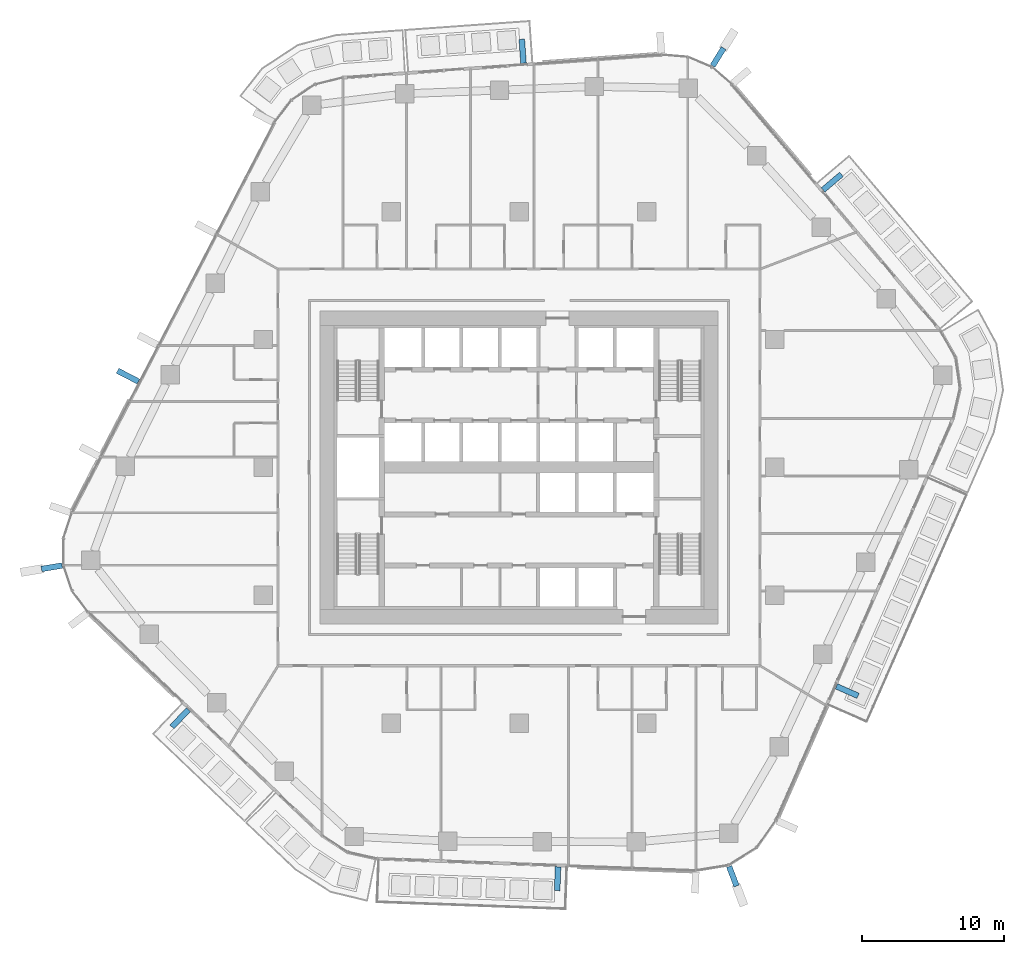
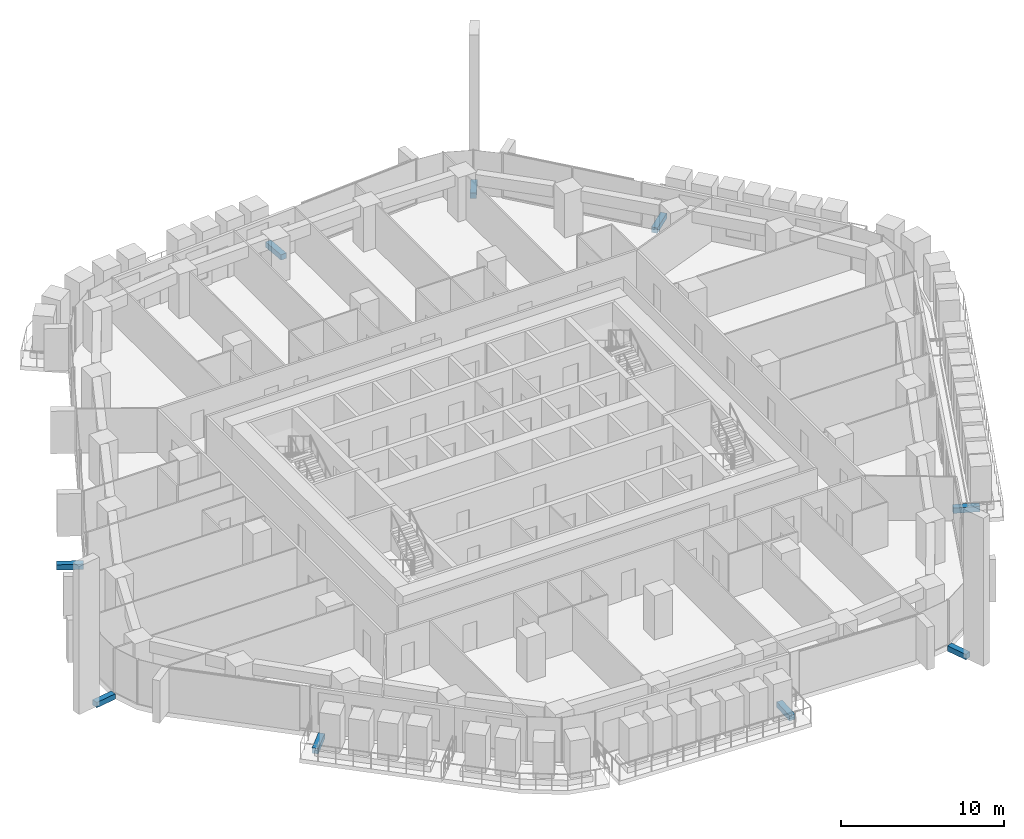
# One storey, part 18 of 24: 9 discrete accessories.
"""IFC4 building model written with IfcOpenShell, lengths in metres."""

import ifcopenshell
import ifcopenshell.guid

model = None  # the IFC model being written
_history = None  # IfcOwnerHistory: only IFC2X3 demands one
_inside = {}  # id of a spatial element -> (the spatial element, [elements in it])
_under = {}  # id of a project, library or spatial element -> (it, [spatial elements below it])
_declared = {}  # id of a project -> (the project, [libraries it declares])
_typed = {}  # id of a type object -> (the type object, [elements of that type])
_made_of = {}  # id of a material, layer set ... -> (it, [elements and type objects made of it])


def new_model(schema):
    """Start an empty IFC model of exactly this schema.

    Asked for "IFC4X3", IfcOpenShell would pick the latest addendum, in which some entities
    have other attributes; the version numbers below select the first issue.
    IFC2X3 requires an IfcOwnerHistory on every rooted entity: one is made here for all.
    """
    global model, _history
    if schema == "IFC4X3":
        model = ifcopenshell.file(schema_version=(4, 3, 0, 0))
    else:
        model = ifcopenshell.file(schema=schema)
    _inside.clear()
    _under.clear()
    _declared.clear()
    _typed.clear()
    _made_of.clear()
    _history = None
    if model.schema == "IFC2X3":
        org = make("IfcOrganization", Name="unknown")
        user = make(
            "IfcPersonAndOrganization",
            ThePerson=make("IfcPerson", FamilyName="unknown"),
            TheOrganization=org,
        )
        app = make(
            "IfcApplication",
            ApplicationDeveloper=org,
            Version="unknown",
            ApplicationFullName="unknown",
            ApplicationIdentifier="unknown",
        )
        _history = make(
            "IfcOwnerHistory",
            OwningUser=user,
            OwningApplication=app,
            ChangeAction="ADDED",
            CreationDate=0,
        )
    return model


def make(cls, **values):
    """One entity of the class cls with the attributes given. An attribute that is None is left unset."""
    return model.create_entity(
        cls, **{name: value for name, value in values.items() if value is not None}
    )


def rooted(cls, **values):
    """An entity with a GlobalId (a new one), such as an element, a storey or a relation."""
    return make(cls, GlobalId=ifcopenshell.guid.new(), OwnerHistory=_history, **values)


def si_unit(unit_type, name, prefix=None):
    """IfcSIUnit, for example si_unit("LENGTHUNIT", "METRE", prefix="MILLI")."""
    return make("IfcSIUnit", UnitType=unit_type, Prefix=prefix, Name=name)


def assignment(units):
    """IfcUnitAssignment: the units of a project."""
    return None if units is None else make("IfcUnitAssignment", Units=units)


def point(xyz):
    """IfcCartesianPoint."""
    return None if xyz is None else make("IfcCartesianPoint", Coordinates=xyz)


def direction(xyz):
    """IfcDirection."""
    return None if xyz is None else make("IfcDirection", DirectionRatios=xyz)


def frame(location, z_axis=None, x_axis=None):
    """IfcAxis2Placement3D, a coordinate frame: its origin and axes. An axis left out is left unset."""
    return make(
        "IfcAxis2Placement3D",
        Location=point(location),
        Axis=direction(z_axis),
        RefDirection=direction(x_axis),
    )


def frame_2d(location, x_axis=None):
    """IfcAxis2Placement2D, a coordinate frame in the plane: its origin and x axis."""
    return make(
        "IfcAxis2Placement2D", Location=point(location), RefDirection=direction(x_axis)
    )


def origin():
    """The frame at (0, 0, 0) with its axes left unset."""
    return frame((0.0, 0.0, 0.0))


def origin_2d():
    """The frame at (0, 0) in the plane with its x axis left unset."""
    return frame_2d((0.0, 0.0))


def place(relative_to, where):
    """IfcLocalPlacement: puts the frame where relative to a parent placement (None: the world)."""
    return make(
        "IfcLocalPlacement", PlacementRelTo=relative_to, RelativePlacement=where
    )


def context(
    kind, dimensions, precision=None, world=None, true_north=None, identifier=None
):
    """IfcGeometricRepresentationContext, for example the 3D "Model" context."""
    return make(
        "IfcGeometricRepresentationContext",
        ContextIdentifier=identifier,
        ContextType=kind,
        CoordinateSpaceDimension=dimensions,
        Precision=precision,
        WorldCoordinateSystem=world,
        TrueNorth=true_north,
    )


def subcontext(parent, identifier, kind, view, scale=None):
    """IfcGeometricRepresentationSubContext, for example "Body" below "Model"."""
    return make(
        "IfcGeometricRepresentationSubContext",
        ContextIdentifier=identifier,
        ContextType=kind,
        ParentContext=parent,
        TargetScale=scale,
        TargetView=view,
    )


def project(units=None, contexts=None):
    """IfcProject with its units and contexts."""
    return rooted(
        "IfcProject",
        Name="project",
        RepresentationContexts=contexts,
        UnitsInContext=assignment(units),
    )


def spatial(cls, under=None, at=None, **own):
    """A site, building, storey or space (cls), placed at a placement, below another one or the project."""
    s = rooted(cls, ObjectPlacement=at, **own)
    if under is not None:
        _under.setdefault(under.id(), (under, []))[1].append(s)
    return s


def profile(cls, at=None, kind="AREA", **sizes):
    """A parametric profile (cls). Its sizes go by their IFC names, for example OverallWidth=200.0."""
    return make(cls, ProfileType=kind, Position=at, **sizes)


def rectangle(**sizes):
    """IfcRectangleProfileDef."""
    return profile("IfcRectangleProfileDef", **sizes)


def extrude(swept, where, along, depth):
    """IfcExtrudedAreaSolid: the profile swept, set in the frame where, extruded along a direction by depth."""
    return make(
        "IfcExtrudedAreaSolid",
        SweptArea=swept,
        Position=where,
        ExtrudedDirection=direction(along),
        Depth=depth,
    )


def shape(context_of_items, identifier, shape_type, items):
    """IfcShapeRepresentation: the items that make up one representation, for example the "Body"."""
    return make(
        "IfcShapeRepresentation",
        ContextOfItems=context_of_items,
        RepresentationIdentifier=identifier,
        RepresentationType=shape_type,
        Items=items,
    )


def material(Name=None, Category=None):
    """IfcMaterial."""
    return make("IfcMaterial", Name=Name, Category=Category)


def made_of(thing, what):
    """Note that an element or type object is made of a material, layer set ...; save() writes the relation."""
    if what is not None:
        _made_of.setdefault(what.id(), (what, []))[1].append(thing)
    return thing


def type_object(cls, material=None, **own):
    """A type object (cls), such as IfcWallType, which elements share."""
    return made_of(rooted(cls, **own), material)


def element(
    cls,
    number,
    at=None,
    inside=None,
    cuts=None,
    type_object=None,
    material=None,
    context=None,
    identifier="Body",
    shape_type=None,
    held_by="IfcProductDefinitionShape",
    body=None,
    shapes=None,
    **own,
):
    """One element of the class cls, such as IfcWall. Its Tag is "e" and its number.

    at: its placement. inside: the storey or other place that contains it. cuts: it is an
    opening in that element (IfcRelVoidsElement). A single representation is given by context,
    identifier, shape_type and body (its items); several are given by shapes. held_by: the class
    of the entity that holds the representations. save() writes the other relations.
    """
    e = rooted(cls, Tag="e%d" % number, ObjectPlacement=at, **own)
    if body is not None:
        shapes = [shape(context, identifier, shape_type, body)]
    if shapes is not None:
        e.Representation = make(held_by, Representations=shapes)
    if inside is not None:
        _inside.setdefault(inside.id(), (inside, []))[1].append(e)
    if cuts is not None:
        rooted(
            "IfcRelVoidsElement", RelatingBuildingElement=cuts, RelatedOpeningElement=e
        )
    if type_object is not None:
        _typed.setdefault(type_object.id(), (type_object, []))[1].append(e)
    return made_of(e, material)


def aggregate(whole, parts):
    """IfcRelAggregates: a whole, such as a stair, and the parts it consists of."""
    return rooted("IfcRelAggregates", RelatingObject=whole, RelatedObjects=parts)


def save(model, path):
    """Write the relations noted so far, then the file.

    IfcRelAggregates (storeys below a building ...), IfcRelContainedInSpatialStructure (elements
    in a storey), IfcRelDefinesByType, IfcRelAssociatesMaterial and IfcRelDeclares: one each for
    every whole, place, type object, material and project.
    """
    for whole, parts in _under.values():
        aggregate(whole, parts)
    for where, things in _inside.values():
        rooted(
            "IfcRelContainedInSpatialStructure",
            RelatedElements=things,
            RelatingStructure=where,
        )
    for kind, things in _typed.values():
        rooted("IfcRelDefinesByType", RelatedObjects=things, RelatingType=kind)
    for what, things in _made_of.values():
        rooted("IfcRelAssociatesMaterial", RelatedObjects=things, RelatingMaterial=what)
    for by, libraries in _declared.values():
        rooted("IfcRelDeclares", RelatingContext=by, RelatedDefinitions=libraries)
    model.write(path)


model = new_model("IFC4")

# Units and contexts
model_context = context("Model", 3, precision=1e-05, world=origin(), true_north=direction((0.0, 1.0)))
body_context = subcontext(model_context, "Body", "Model", "MODEL_VIEW")
ifc_project = project(units=[si_unit("LENGTHUNIT", "METRE"), si_unit("AREAUNIT", "SQUARE_METRE"), si_unit("VOLUMEUNIT", "CUBIC_METRE"), si_unit("PLANEANGLEUNIT", "RADIAN"), si_unit("MASSUNIT", "GRAM", prefix="KILO")], contexts=[model_context])

# Site, building, storey
site_placement = place(None, origin())
site = spatial("IfcSite", under=ifc_project, at=site_placement, CompositionType="ELEMENT")
building_placement = place(site_placement, origin())
building = spatial("IfcBuilding", under=site, at=building_placement, Name="Dongbaek Canopy Tower", CompositionType="ELEMENT")
storey_placement = place(building_placement, frame((0.0, 0.0, 106.300048828125)))
storey = spatial("IfcBuildingStorey", under=building, at=storey_placement, Name="L22", CompositionType="ELEMENT", Elevation=106.300048828125)

# Discrete accessories
ifc_material = material(Name="Galvanised steel S355 bracket", Category="steel")
discrete_accessory_type = type_object("IfcDiscreteAccessoryType", Name="Crease fin bracket BR3 400", PredefinedType="BRACKET", material=ifc_material)
discrete_accessory_1_placement = place(storey_placement, frame((22.037841796875, 20.070068359375, -0.39990234375), z_axis=(0.0, 0.0, 1.0), x_axis=(0.763289979412, 0.646056040394, 0.0)))
element("IfcDiscreteAccessory", 1, at=discrete_accessory_1_placement, inside=storey, type_object=discrete_accessory_type, Name="Crease fin bracket L22 F0", PredefinedType="BRACKET", context=body_context, shape_type="SweptSolid", body=[
    extrude(rectangle(XDim=1.697998046875, YDim=0.39990234375, at=origin_2d()), origin(), (0.0, 0.0, 1.0), 0.39990234375),
])
discrete_accessory_2_placement = place(storey_placement, frame((0.25537109375, 29.280517578125, -0.39990234375), z_axis=(0.0, 0.0, 1.0), x_axis=(-0.071742903788, 0.99742315782, 0.0)))
element("IfcDiscreteAccessory", 2, at=discrete_accessory_2_placement, inside=storey, type_object=discrete_accessory_type, Name="Crease fin bracket L22 F1", PredefinedType="BRACKET", context=body_context, shape_type="SweptSolid", body=[
    extrude(rectangle(XDim=1.694580078125, YDim=0.39990234375, at=origin_2d()), origin(), (0.0, 0.0, 1.0), 0.39990234375),
])
discrete_accessory_3_placement = place(storey_placement, frame((-27.51171875, 6.42333984375, -0.39990234375), z_axis=(0.0, 0.0, 1.0), x_axis=(-0.887462519706, 0.460879893376, 0.0)))
element("IfcDiscreteAccessory", 3, at=discrete_accessory_3_placement, inside=storey, type_object=discrete_accessory_type, Name="Crease fin bracket L22 F2", PredefinedType="BRACKET", context=body_context, shape_type="SweptSolid", body=[
    extrude(rectangle(XDim=1.651611328125, YDim=0.39990234375, at=origin_2d()), origin(), (0.0, 0.0, 1.0), 0.39990234375),
])
discrete_accessory_4_placement = place(storey_placement, frame((-23.839111328125, -17.651611328125, -0.39990234375), z_axis=(0.0, 0.0, 1.0), x_axis=(-0.690482309776, -0.723349279316, 0.0)))
element("IfcDiscreteAccessory", 4, at=discrete_accessory_4_placement, inside=storey, type_object=discrete_accessory_type, Name="Crease fin bracket L22 F3", PredefinedType="BRACKET", context=body_context, shape_type="SweptSolid", body=[
    extrude(rectangle(XDim=1.67578125, YDim=0.39990234375, at=origin_2d()), origin(), (0.0, 0.0, 1.0), 0.39990234375),
])
discrete_accessory_5_placement = place(storey_placement, frame((2.714599609375, -28.93798828125, -0.39990234375), z_axis=(0.0, 0.0, 1.0), x_axis=(-0.036872192324, -0.999319989509, 0.0)))
element("IfcDiscreteAccessory", 5, at=discrete_accessory_5_placement, inside=storey, type_object=discrete_accessory_type, Name="Crease fin bracket L22 F4", PredefinedType="BRACKET", context=body_context, shape_type="SweptSolid", body=[
    extrude(rectangle(XDim=1.6826171875, YDim=0.39990234375, at=origin_2d()), origin(), (0.0, 0.0, 1.0), 0.39990234375),
])
discrete_accessory_6_placement = place(storey_placement, frame((23.093505859375, -15.737060546875, -0.39990234375), z_axis=(0.0, 0.0, 1.0), x_axis=(0.915073027151, -0.403288178578, 0.0)))
element("IfcDiscreteAccessory", 6, at=discrete_accessory_6_placement, inside=storey, type_object=discrete_accessory_type, Name="Crease fin bracket L22 F5", PredefinedType="BRACKET", context=body_context, shape_type="SweptSolid", body=[
    extrude(rectangle(XDim=1.659912109375, YDim=0.39990234375, at=origin_2d()), origin(), (0.0, 0.0, 1.0), 0.39990234375),
])
for number, where, z_axis, x_axis, name in (
    (7, (14.00732421875, 28.87353515625, -0.39990234375), (0.0, 0.0, 1.0), (0.526936511908, 0.849904649016, 0.0), "Corner fin bracket L22 K1"),
    (8, (-32.872802734375, -7.022216796875, -0.39990234375), (0.0, 0.0, 1.0), (-0.986446731752, -0.164081825364, 0.0), "Corner fin bracket L22 K3"),
    (9, (15.043701171875, -28.760986328125, -0.39990234375), (0.0, 0.0, 1.0), (0.352875585883, -0.935670252219, 0.0), "Corner fin bracket L22 K5"),
):
    element("IfcDiscreteAccessory", number, at=place(storey_placement, frame(where, z_axis=z_axis, x_axis=x_axis)), inside=storey, type_object=discrete_accessory_type, Name=name, PredefinedType="BRACKET", context=body_context, shape_type="SweptSolid", body=[
        extrude(rectangle(XDim=1.469970703125, YDim=0.39990234375, at=origin_2d()), origin(), (0.0, 0.0, 1.0), 0.39990234375),
    ])

save(model, "model.ifc")
